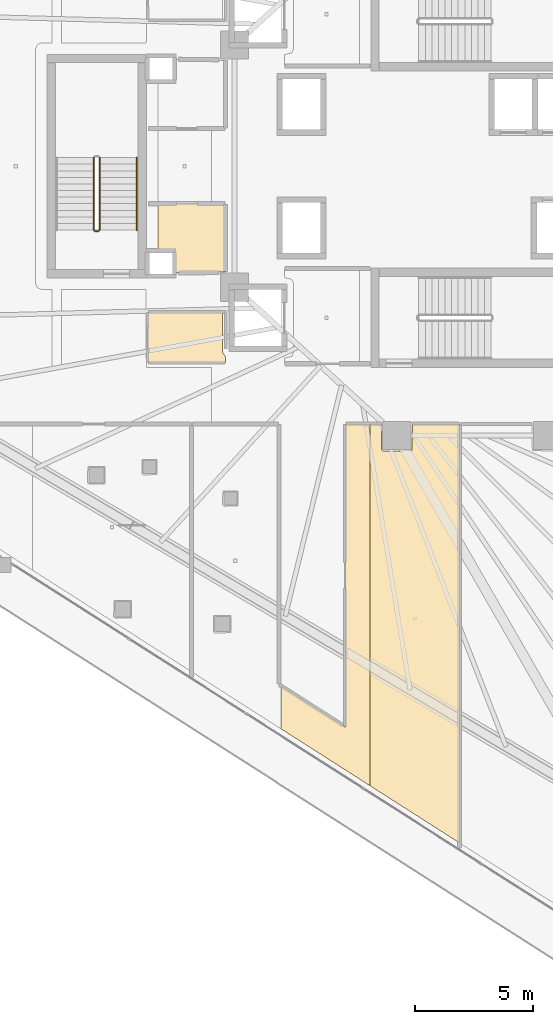
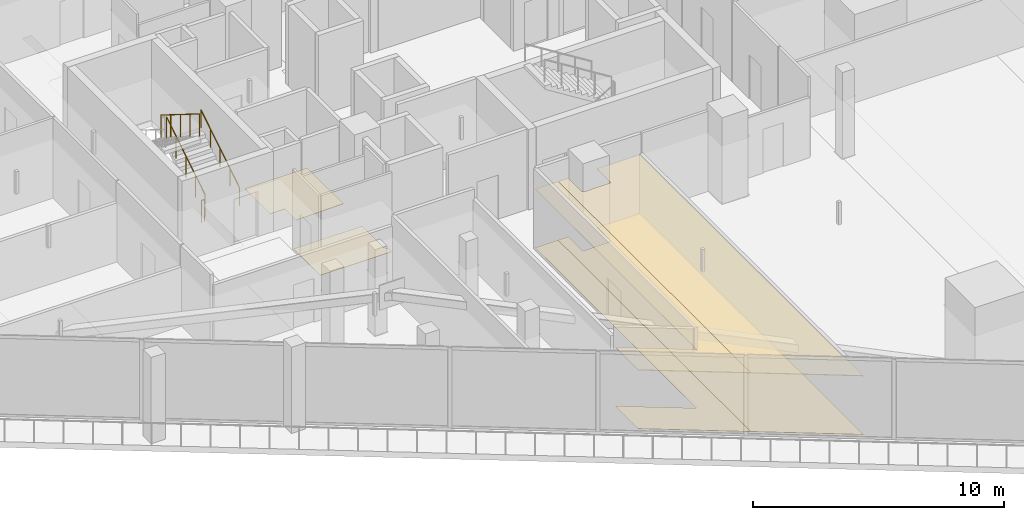
# One storey, part 45 of 52: 6 coverings, 4 railings.
"""IFC4 building model written with IfcOpenShell, lengths in metres."""

from ifc_helpers import new_model, si_unit, direction, frame, origin, origin_2d, place, context, subcontext, project, spatial, polyline, circle, outline, extrude, material, layer, layer_set, type_object, element, save


model = new_model("IFC4")

# Units and contexts
model_context = context("Model", 3, precision=1e-05, world=origin(), true_north=direction((0.0, 1.0)))
body_context = subcontext(model_context, "Body", "Model", "MODEL_VIEW")
ifc_project = project(units=[si_unit("LENGTHUNIT", "METRE"), si_unit("AREAUNIT", "SQUARE_METRE"), si_unit("VOLUMEUNIT", "CUBIC_METRE"), si_unit("PLANEANGLEUNIT", "RADIAN"), si_unit("MASSUNIT", "GRAM", prefix="KILO")], contexts=[model_context])

# Site, building, storey
site_placement = place(None, origin())
site = spatial("IfcSite", under=ifc_project, at=site_placement, CompositionType="ELEMENT")
building_placement = place(site_placement, origin())
building = spatial("IfcBuilding", under=site, at=building_placement, Name="Qorvath Tower", CompositionType="ELEMENT")
storey_placement = place(building_placement, frame((0.0, 0.0, 61.800048828125)))
storey = spatial("IfcBuildingStorey", under=building, at=storey_placement, Name="L13", CompositionType="ELEMENT", Elevation=61.800048828125)

# Coverings
ifc_material_1 = material(Name="Acoustic mineral fibre ceiling tile", Category="gypsum")
ifc_layer_1 = layer(ifc_material_1, 0.030029296875)
ifc_layer_set_1 = layer_set([ifc_layer_1], Name="COV-CEIL")
covering_type_1 = type_object("IfcCoveringType", Name="COV-CEIL", PredefinedType="CEILING", material=ifc_layer_set_1)
covering_1_placement = place(storey_placement, frame((0.0, 0.0, 2.849853515625)))
element("IfcCovering", 1, at=covering_1_placement, inside=storey, type_object=covering_type_1, Name="L13 Suspended Acoustic Ceiling 023", PredefinedType="CEILING", context=body_context, shape_type="SweptSolid", body=[
    extrude(outline(polyline([(-24.731689453125, -26.340576171875), (-24.731689453125, -10.962890625), (-25.787109375, -10.962890625), (-25.791259765625, -23.84375), (-28.522705078125, -22.0966796875), (-28.522705078125, -23.917724609375), (-24.731689453125, -26.340576171875)])), origin(), (0.0, 0.0, 1.0), 0.030029296875),
])
covering_2_placement = place(storey_placement, frame((0.0, 0.0, 2.849853515625)))
element("IfcCovering", 2, at=covering_2_placement, inside=storey, type_object=covering_type_1, Name="L13 Suspended Acoustic Ceiling 024", PredefinedType="CEILING", context=body_context, shape_type="SweptSolid", body=[
    extrude(outline(polyline([(-20.94091796875, -28.763427734375), (-20.94091796875, -10.962890625), (-22.93994140625, -10.962890625), (-22.95751953125, -12.092529296875), (-24.199951171875, -12.110107421875), (-24.260009765625, -12.050048828125), (-24.260009765625, -10.962890625), (-24.731689453125, -10.962890625), (-24.731689453125, -26.340576171875), (-20.94091796875, -28.763427734375)])), origin(), (0.0, 0.0, 1.0), 0.030029296875),
])
ifc_material_2 = material(Name="Low-VOC modular carpet tile", Category="textile")
ifc_layer_2 = layer(ifc_material_2, 0.014892578125)
ifc_layer_set_2 = layer_set([ifc_layer_2], Name="COV-FLOOR-CPT")
covering_type_2 = type_object("IfcCoveringType", Name="COV-FLOOR-CPT", PredefinedType="FLOORING", material=ifc_layer_set_2)
covering_3_placement = place(storey_placement, origin())
element("IfcCovering", 3, at=covering_3_placement, inside=storey, type_object=covering_type_2, Name="L13 Floor Finish 006", PredefinedType="FLOORING", context=body_context, shape_type="SweptSolid", body=[
    extrude(outline(polyline([(-30.885009765625, -1.60498046875), (-33.760009765625, -1.60498046875), (-33.760009765625, -3.636962890625), (-33.08837890625, -3.638427734375), (-33.0869140625, -4.534912109375), (-30.885009765625, -4.489990234375), (-30.885009765625, -1.60498046875)])), origin(), (0.0, 0.0, 1.0), 0.014892578125),
])
covering_4_placement = place(storey_placement, origin())
element("IfcCovering", 4, at=covering_4_placement, inside=storey, type_object=covering_type_2, Name="L13 Floor Finish 023", PredefinedType="FLOORING", context=body_context, shape_type="SweptSolid", body=[
    extrude(outline(polyline([(-24.731689453125, -26.340576171875), (-24.731689453125, -10.962890625), (-25.787109375, -10.962890625), (-25.791259765625, -23.84375), (-28.522705078125, -22.0966796875), (-28.522705078125, -23.917724609375), (-24.731689453125, -26.340576171875)])), origin(), (0.0, 0.0, 1.0), 0.014892578125),
])
covering_5_placement = place(storey_placement, origin())
element("IfcCovering", 5, at=covering_5_placement, inside=storey, type_object=covering_type_2, Name="L13 Floor Finish 024", PredefinedType="FLOORING", context=body_context, shape_type="SweptSolid", body=[
    extrude(outline(polyline([(-20.94091796875, -28.763427734375), (-20.94091796875, -10.962890625), (-22.93994140625, -10.962890625), (-22.95751953125, -12.092529296875), (-24.199951171875, -12.110107421875), (-24.260009765625, -12.050048828125), (-24.260009765625, -10.962890625), (-24.731689453125, -10.962890625), (-24.731689453125, -26.340576171875), (-20.94091796875, -28.763427734375)])), origin(), (0.0, 0.0, 1.0), 0.014892578125),
])
ifc_material_3 = material(Name="Polished epoxy terrazzo flooring", Category="concrete")
ifc_layer_3 = layer(ifc_material_3, 0.02001953125)
ifc_layer_set_3 = layer_set([ifc_layer_3], Name="COV-FLOOR-TRZ")
covering_type_3 = type_object("IfcCoveringType", Name="COV-FLOOR-TRZ", PredefinedType="FLOORING", material=ifc_layer_set_3)
covering_6_placement = place(storey_placement, origin())
element("IfcCovering", 6, at=covering_6_placement, inside=storey, type_object=covering_type_3, Name="L13 Floor Finish 005", PredefinedType="FLOORING", context=body_context, shape_type="SweptSolid", body=[
    extrude(outline(polyline([(-30.885009765625, -8.344970703125), (-30.885009765625, -8.108154296875), (-31.010009765625, -7.909912109375), (-31.010009765625, -6.205078125), (-34.175048828125, -6.205078125), (-34.175048828125, -8.344970703125), (-30.885009765625, -8.344970703125)])), origin(), (0.0, 0.0, 1.0), 0.014892578125),
])

# Railings
ifc_material_4 = material(Name="Painted galvanised steel", Category="steel")
railing_type_1 = type_object("IfcRailingType", Name="RL-STR-GRD", PredefinedType="GUARDRAIL", material=ifc_material_4)
railing_1_placement = place(storey_placement, frame((-36.22998046875, -2.719970703125, 0.175048828125)))
element("IfcRailing", 7, at=railing_1_placement, inside=storey, type_object=railing_type_1, Name="L13 TS3 stair guard 1", PredefinedType="GUARDRAIL", context=body_context, shape_type="SweptSolid", body=[
    extrude(circle(Radius=0.02392578125, at=origin_2d()), frame((0.0, 0.0, 1.076171875), z_axis=(0.0, 0.848028513186, 0.529950602248), x_axis=(-1.0, 0.0, 0.0)), (0.0, 0.0, 1.0), 3.632080078125),
    extrude(circle(Radius=0.02099609375, at=origin_2d()), origin(), (0.0, 0.0, 1.0), 1.052001953125),
    extrude(circle(Radius=0.02099609375, at=origin_2d()), frame((0.0, 0.77001953125, 0.481201171875)), (0.0, 0.0, 1.0), 1.052001953125),
    extrude(circle(Radius=0.02099609375, at=origin_2d()), frame((0.0, 1.5400390625, 0.96240234375)), (0.0, 0.0, 1.0), 1.052001953125),
    extrude(circle(Radius=0.02099609375, at=origin_2d()), frame((0.0, 2.31005859375, 1.443603515625)), (0.0, 0.0, 1.0), 1.052001953125),
    extrude(circle(Radius=0.02099609375, at=origin_2d()), frame((0.0, 3.080078125, 1.9248046875)), (0.0, 0.0, 1.0), 1.052001953125),
])
railing_2_placement = place(storey_placement, frame((-36.47998046875, 0.360107421875, 2.27490234375)))
element("IfcRailing", 8, at=railing_2_placement, inside=storey, type_object=railing_type_1, Name="L13 TS3 stair guard 3", PredefinedType="GUARDRAIL", context=body_context, shape_type="SweptSolid", body=[
    extrude(circle(Radius=0.02392578125, at=origin_2d()), frame((0.0, 0.0, 1.076171875), z_axis=(0.0, -0.847998304005, 0.529998940003), x_axis=(1.0, 0.0, 0.0)), (0.0, 0.0, 1.0), 3.632080078125),
    extrude(circle(Radius=0.02099609375, at=origin_2d()), origin(), (0.0, 0.0, 1.0), 1.052001953125),
    extrude(circle(Radius=0.02099609375, at=origin_2d()), frame((0.0, -0.77001953125, 0.481201171875)), (0.0, 0.0, 1.0), 1.052001953125),
    extrude(circle(Radius=0.02099609375, at=origin_2d()), frame((0.0, -1.5400390625, 0.96240234375)), (0.0, 0.0, 1.0), 1.052001953125),
    extrude(circle(Radius=0.02099609375, at=origin_2d()), frame((0.0, -2.31005859375, 1.44384765625)), (0.0, 0.0, 1.0), 1.052001953125),
    extrude(circle(Radius=0.02099609375, at=origin_2d()), frame((0.0, -3.080078125, 1.925048828125)), (0.0, 0.0, 1.0), 1.052001953125),
])
railing_3_placement = place(storey_placement, frame((-36.280029296875, -2.77001953125, 0.0)))
element("IfcRailing", 9, at=railing_3_placement, inside=storey, type_object=railing_type_1, Name="L13 TS3 stair guard 4", PredefinedType="GUARDRAIL", context=body_context, shape_type="SweptSolid", body=[
    extrude(circle(Radius=0.02392578125, at=origin_2d()), frame((0.0, 0.0, 1.076171875), z_axis=(-1.0, 0.0, 0.0), x_axis=(0.0, -1.0, 0.0)), (0.0, 0.0, 1.0), 0.14990234375),
    extrude(circle(Radius=0.02099609375, at=origin_2d()), origin(), (0.0, 0.0, 1.0), 1.052001953125),
    extrude(circle(Radius=0.02099609375, at=origin_2d()), frame((-0.14990234375, 0.0, 0.0)), (0.0, 0.0, 1.0), 1.052001953125),
])
ifc_material_5 = material(Name="Brushed stainless steel AISI 304", Category="steel")
railing_type_2 = type_object("IfcRailingType", Name="RL-STR-HND", PredefinedType="HANDRAIL", material=ifc_material_5)
railing_4_placement = place(storey_placement, frame((-34.64990234375, -2.719970703125, 0.175048828125)))
element("IfcRailing", 10, at=railing_4_placement, inside=storey, type_object=railing_type_2, Name="L13 TS3 stair handrail 1", PredefinedType="HANDRAIL", context=body_context, shape_type="SweptSolid", body=[
    extrude(circle(Radius=0.02392578125, at=origin_2d()), frame((0.0, 0.0, 0.8759765625), z_axis=(0.0, 0.848028513186, 0.529950602248), x_axis=(-1.0, 0.0, 0.0)), (0.0, 0.0, 1.0), 3.632080078125),
    extrude(circle(Radius=0.02099609375, at=origin_2d()), origin(), (0.0, 0.0, 1.0), 0.851806640625),
    extrude(circle(Radius=0.02099609375, at=origin_2d()), frame((0.0, 0.77001953125, 0.481201171875)), (0.0, 0.0, 1.0), 0.851806640625),
    extrude(circle(Radius=0.02099609375, at=origin_2d()), frame((0.0, 1.5400390625, 0.96240234375)), (0.0, 0.0, 1.0), 0.851806640625),
    extrude(circle(Radius=0.02099609375, at=origin_2d()), frame((0.0, 2.31005859375, 1.443603515625)), (0.0, 0.0, 1.0), 0.851806640625),
    extrude(circle(Radius=0.02099609375, at=origin_2d()), frame((0.0, 3.080078125, 1.9248046875)), (0.0, 0.0, 1.0), 0.851806640625),
])

save(model, "model.ifc")
